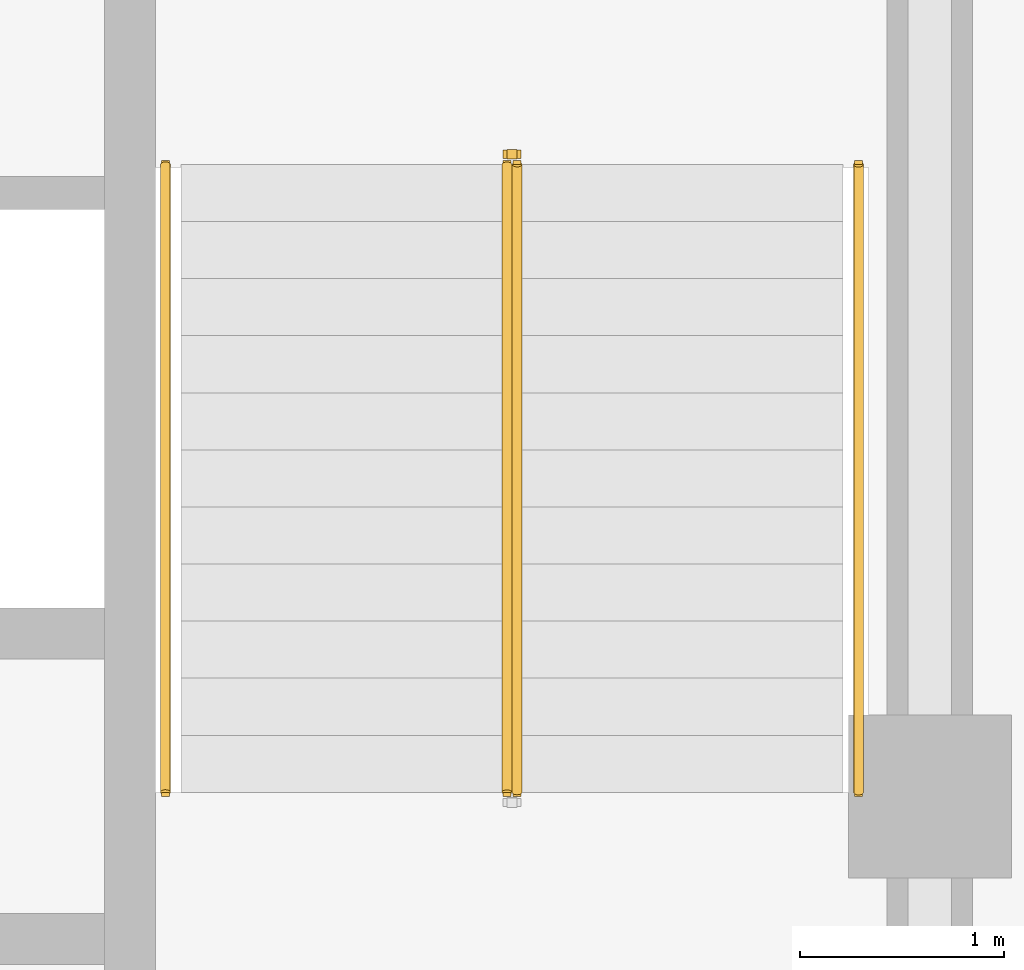
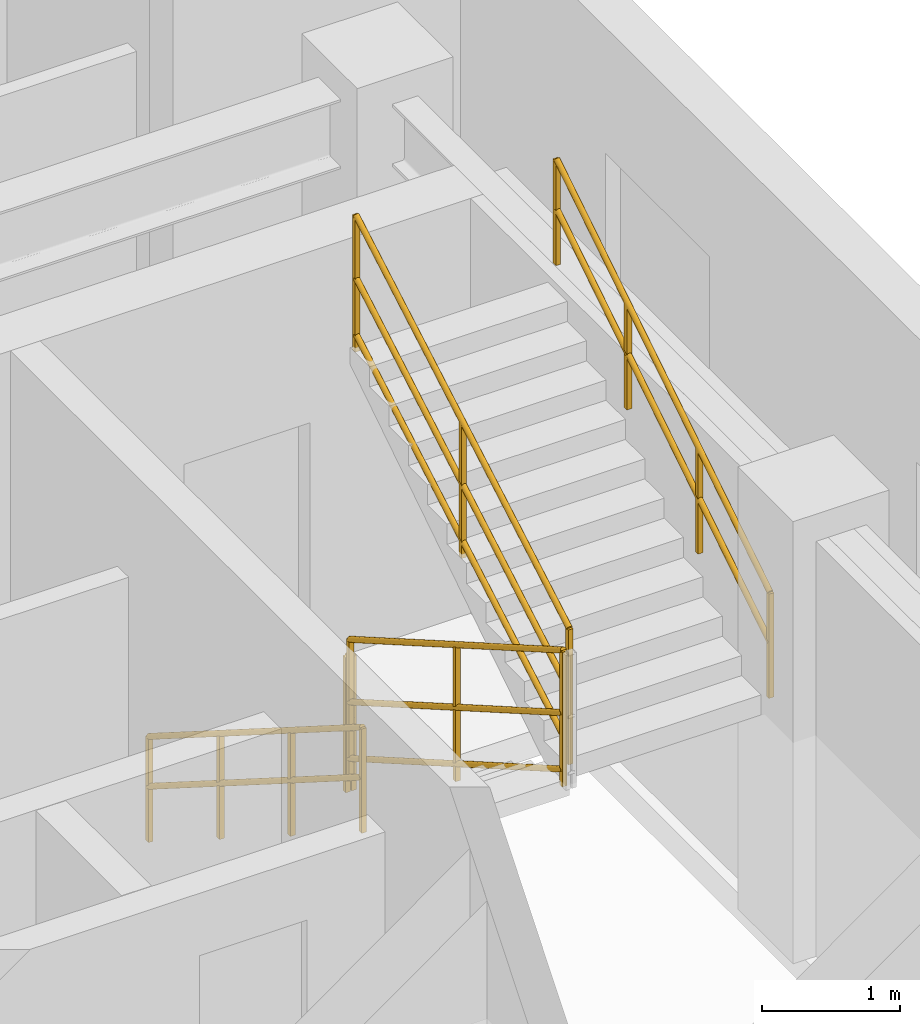
# One storey, part 9 of 10: 5 railings.
"""IFC4 building model written with IfcOpenShell, lengths in metres."""

from ifc_helpers import new_model, entity, si_unit, converted_unit, direction, frame, origin_with_axes, origin_2d_with_axis, place, context, subcontext, project, spatial, rectangle, circle, extrude, material, type_object, element, save


model = new_model("IFC4")

# Units and contexts
model_context = context("Model", 3, precision=1e-05, world=origin_with_axes(), true_north=direction((0.0, 1.0)))
body_context = subcontext(model_context, "Body", "Model", "MODEL_VIEW")
ifc_project = project(units=[si_unit("LENGTHUNIT", "METRE"), si_unit("AREAUNIT", "SQUARE_METRE"), si_unit("VOLUMEUNIT", "CUBIC_METRE"), converted_unit("PLANEANGLEUNIT", "DEGREE", entity("IfcPlaneAngleMeasure", 0.017453292519943295), si_unit("PLANEANGLEUNIT", "RADIAN"), dimensions=[0, 0, 0, 0, 0, 0, 0]), si_unit("MASSUNIT", "GRAM", prefix="KILO"), si_unit("THERMODYNAMICTEMPERATUREUNIT", "KELVIN")], contexts=[model_context])

# Site, building, storey
site_placement = place(None, origin_with_axes())
site = spatial("IfcSite", under=ifc_project, at=site_placement, CompositionType="ELEMENT")
building_placement = place(site_placement, origin_with_axes())
building = spatial("IfcBuilding", under=site, at=building_placement, Name="Varnlund Millrace Tower", CompositionType="ELEMENT")
storey_placement = place(building_placement, frame((0.0, 0.0, 268.5), z_axis=(0.0, 0.0, 1.0), x_axis=(1.0, 0.0, 0.0)))
storey = spatial("IfcBuildingStorey", under=building, at=storey_placement, Name="L66", CompositionType="ELEMENT", Elevation=268.5)

# Railings
ifc_material_1 = material(Name="Painted steel stair well balustrade guard", Category="steel")
railing_type_1 = type_object("IfcRailingType", Name="Type-StairGuard-1150", PredefinedType="GUARDRAIL", material=ifc_material_1)
railing_1_placement = place(storey_placement, frame((0.0, 0.0, -268.5), z_axis=(0.0, 0.0, 1.0), x_axis=(1.0, 0.0, 0.0)))
element("IfcRailing", 1, at=railing_1_placement, inside=storey, type_object=railing_type_1, Name="Type-StairGuard-1150", PredefinedType="GUARDRAIL", context=body_context, shape_type="SweptSolid", body=[
    extrude(circle(Radius=0.024, at=origin_2d_with_axis()), frame((45.975, 21.1, 269.827273), z_axis=(0.0, -0.866696, 0.498836), x_axis=(1.0, 0.0, 0.0)), (0.0, 0.0, 1.0), 3.553725),
    extrude(circle(Radius=0.024, at=origin_2d_with_axis()), frame((45.975, 21.1, 268.777273), z_axis=(0.0, -0.866696, 0.498836), x_axis=(1.0, 0.0, 0.0)), (0.0, 0.0, 1.0), 3.553725),
    extrude(circle(Radius=0.024, at=origin_2d_with_axis()), frame((45.975, 21.1, 269.275273), z_axis=(0.0, -0.866696, 0.498836), x_axis=(1.0, 0.0, 0.0)), (0.0, 0.0, 1.0), 3.553725),
    extrude(rectangle(XDim=0.04, YDim=0.04, at=origin_2d_with_axis()), frame((45.975, 21.1, 268.637273), z_axis=(0.0, 0.0, 1.0), x_axis=(1.0, 0.0, 0.0)), (0.0, 0.0, 1.0), 1.19),
    extrude(rectangle(XDim=0.04, YDim=0.04, at=origin_2d_with_axis()), frame((45.975, 19.56, 269.523636), z_axis=(0.0, 0.0, 1.0), x_axis=(1.0, 0.0, 0.0)), (0.0, 0.0, 1.0), 1.19),
    extrude(rectangle(XDim=0.04, YDim=0.04, at=origin_2d_with_axis()), frame((45.975, 18.02, 270.41), z_axis=(0.0, 0.0, 1.0), x_axis=(1.0, 0.0, 0.0)), (0.0, 0.0, 1.0), 1.19),
])
railing_2_placement = place(storey_placement, frame((0.0, 0.0, -268.5), z_axis=(0.0, 0.0, 1.0), x_axis=(1.0, 0.0, 0.0)))
element("IfcRailing", 2, at=railing_2_placement, inside=storey, type_object=railing_type_1, Name="Type-StairGuard-1150", PredefinedType="GUARDRAIL", context=body_context, shape_type="SweptSolid", body=[
    extrude(circle(Radius=0.024, at=origin_2d_with_axis()), frame((46.025, 18.02, 271.777273), z_axis=(0.0, 0.866696, 0.498836), x_axis=(-1.0, 0.0, 0.0)), (0.0, 0.0, 1.0), 3.553725),
    extrude(circle(Radius=0.024, at=origin_2d_with_axis()), frame((46.025, 18.02, 270.727273), z_axis=(0.0, 0.866696, 0.498836), x_axis=(-1.0, 0.0, 0.0)), (0.0, 0.0, 1.0), 3.553725),
    extrude(circle(Radius=0.024, at=origin_2d_with_axis()), frame((46.025, 18.02, 271.225273), z_axis=(0.0, 0.866696, 0.498836), x_axis=(-1.0, 0.0, 0.0)), (0.0, 0.0, 1.0), 3.553725),
    extrude(rectangle(XDim=0.04, YDim=0.04, at=origin_2d_with_axis()), frame((46.025, 18.02, 270.587273), z_axis=(0.0, 0.0, 1.0), x_axis=(1.0, 0.0, 0.0)), (0.0, 0.0, 1.0), 1.19),
    extrude(rectangle(XDim=0.04, YDim=0.04, at=origin_2d_with_axis()), frame((46.025, 19.56, 271.473636), z_axis=(0.0, 0.0, 1.0), x_axis=(1.0, 0.0, 0.0)), (0.0, 0.0, 1.0), 1.19),
    extrude(rectangle(XDim=0.04, YDim=0.04, at=origin_2d_with_axis()), frame((46.025, 21.1, 272.36), z_axis=(0.0, 0.0, 1.0), x_axis=(1.0, 0.0, 0.0)), (0.0, 0.0, 1.0), 1.19),
])
railing_3_placement = place(storey_placement, frame((0.0, 0.0, -268.5), z_axis=(0.0, 0.0, 1.0), x_axis=(1.0, 0.0, 0.0)))
element("IfcRailing", 3, at=railing_3_placement, inside=storey, type_object=railing_type_1, Name="Type-StairGuard-1150", PredefinedType="GUARDRAIL", context=body_context, shape_type="SweptSolid", body=[
    extrude(circle(Radius=0.024, at=origin_2d_with_axis()), frame((46.025, 21.15, 269.65), z_axis=(-1.0, 0.0, 0.0), x_axis=(0.0, -1.0, 0.0)), (0.0, 0.0, 1.0), 0.05),
    extrude(circle(Radius=0.024, at=origin_2d_with_axis()), frame((46.025, 21.15, 268.6), z_axis=(-1.0, 0.0, 0.0), x_axis=(0.0, -1.0, 0.0)), (0.0, 0.0, 1.0), 0.05),
    extrude(circle(Radius=0.024, at=origin_2d_with_axis()), frame((46.025, 21.15, 269.098), z_axis=(-1.0, 0.0, 0.0), x_axis=(0.0, -1.0, 0.0)), (0.0, 0.0, 1.0), 0.05),
    extrude(rectangle(XDim=0.04, YDim=0.04, at=origin_2d_with_axis()), frame((46.025, 21.15, 268.46), z_axis=(0.0, 0.0, 1.0), x_axis=(1.0, 0.0, 0.0)), (0.0, 0.0, 1.0), 1.19),
    extrude(rectangle(XDim=0.04, YDim=0.04, at=origin_2d_with_axis()), frame((45.975, 21.15, 268.46), z_axis=(0.0, 0.0, 1.0), x_axis=(1.0, 0.0, 0.0)), (0.0, 0.0, 1.0), 1.19),
])
ifc_material_2 = material(Name="Brushed architectural bronze stair handrail", Category="aluminium")
railing_type_2 = type_object("IfcRailingType", Name="Type-StairHandrail-900", PredefinedType="HANDRAIL", material=ifc_material_2)
railing_4_placement = place(storey_placement, frame((0.0, 0.0, -268.5), z_axis=(0.0, 0.0, 1.0), x_axis=(1.0, 0.0, 0.0)))
element("IfcRailing", 4, at=railing_4_placement, inside=storey, type_object=railing_type_2, Name="Type-StairHandrail-900", PredefinedType="HANDRAIL", context=body_context, shape_type="SweptSolid", body=[
    extrude(circle(Radius=0.024, at=origin_2d_with_axis()), frame((44.3, 21.1, 269.556995), z_axis=(0.0, -0.844902, 0.534922), x_axis=(1.0, 0.0, 0.0)), (0.0, 0.0, 1.0), 3.645394),
    extrude(circle(Radius=0.024, at=origin_2d_with_axis()), frame((44.3, 21.1, 269.117134), z_axis=(0.0, -0.844902, 0.534922), x_axis=(1.0, 0.0, 0.0)), (0.0, 0.0, 1.0), 3.645394),
    extrude(rectangle(XDim=0.04, YDim=0.04, at=origin_2d_with_axis()), frame((44.3, 21.1, 268.637273), z_axis=(0.0, 0.0, 1.0), x_axis=(1.0, 0.0, 0.0)), (0.0, 0.0, 1.0), 0.919722),
    extrude(rectangle(XDim=0.04, YDim=0.04, at=origin_2d_with_axis()), frame((44.3, 20.073333, 269.287273), z_axis=(0.0, 0.0, 1.0), x_axis=(1.0, 0.0, 0.0)), (0.0, 0.0, 1.0), 0.919722),
    extrude(rectangle(XDim=0.04, YDim=0.04, at=origin_2d_with_axis()), frame((44.3, 19.046667, 269.937273), z_axis=(0.0, 0.0, 1.0), x_axis=(1.0, 0.0, 0.0)), (0.0, 0.0, 1.0), 0.919722),
    extrude(rectangle(XDim=0.04, YDim=0.04, at=origin_2d_with_axis()), frame((44.3, 18.02, 270.587273), z_axis=(0.0, 0.0, 1.0), x_axis=(1.0, 0.0, 0.0)), (0.0, 0.0, 1.0), 0.919722),
])
railing_5_placement = place(storey_placement, frame((0.0, 0.0, -268.5), z_axis=(0.0, 0.0, 1.0), x_axis=(1.0, 0.0, 0.0)))
element("IfcRailing", 5, at=railing_5_placement, inside=storey, type_object=railing_type_2, Name="Type-StairHandrail-900", PredefinedType="HANDRAIL", context=body_context, shape_type="SweptSolid", body=[
    extrude(circle(Radius=0.024, at=origin_2d_with_axis()), frame((47.7, 18.02, 271.506995), z_axis=(0.0, 0.844902, 0.534922), x_axis=(-1.0, 0.0, 0.0)), (0.0, 0.0, 1.0), 3.645394),
    extrude(circle(Radius=0.024, at=origin_2d_with_axis()), frame((47.7, 18.02, 271.067134), z_axis=(0.0, 0.844902, 0.534922), x_axis=(-1.0, 0.0, 0.0)), (0.0, 0.0, 1.0), 3.645394),
    extrude(rectangle(XDim=0.04, YDim=0.04, at=origin_2d_with_axis()), frame((47.7, 18.02, 270.587273), z_axis=(0.0, 0.0, 1.0), x_axis=(1.0, 0.0, 0.0)), (0.0, 0.0, 1.0), 0.919722),
    extrude(rectangle(XDim=0.04, YDim=0.04, at=origin_2d_with_axis()), frame((47.7, 19.046667, 271.237273), z_axis=(0.0, 0.0, 1.0), x_axis=(1.0, 0.0, 0.0)), (0.0, 0.0, 1.0), 0.919722),
    extrude(rectangle(XDim=0.04, YDim=0.04, at=origin_2d_with_axis()), frame((47.7, 20.073333, 271.887273), z_axis=(0.0, 0.0, 1.0), x_axis=(1.0, 0.0, 0.0)), (0.0, 0.0, 1.0), 0.919722),
    extrude(rectangle(XDim=0.04, YDim=0.04, at=origin_2d_with_axis()), frame((47.7, 21.1, 272.537273), z_axis=(0.0, 0.0, 1.0), x_axis=(1.0, 0.0, 0.0)), (0.0, 0.0, 1.0), 0.919722),
])

save(model, "model.ifc")
